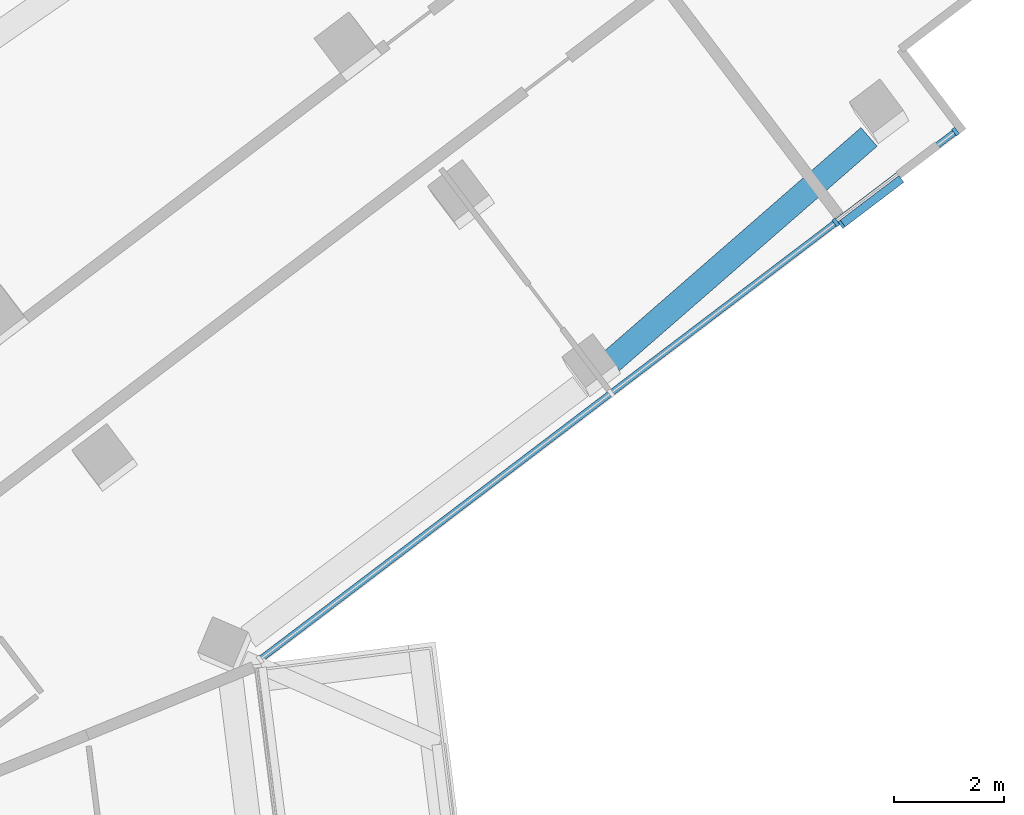
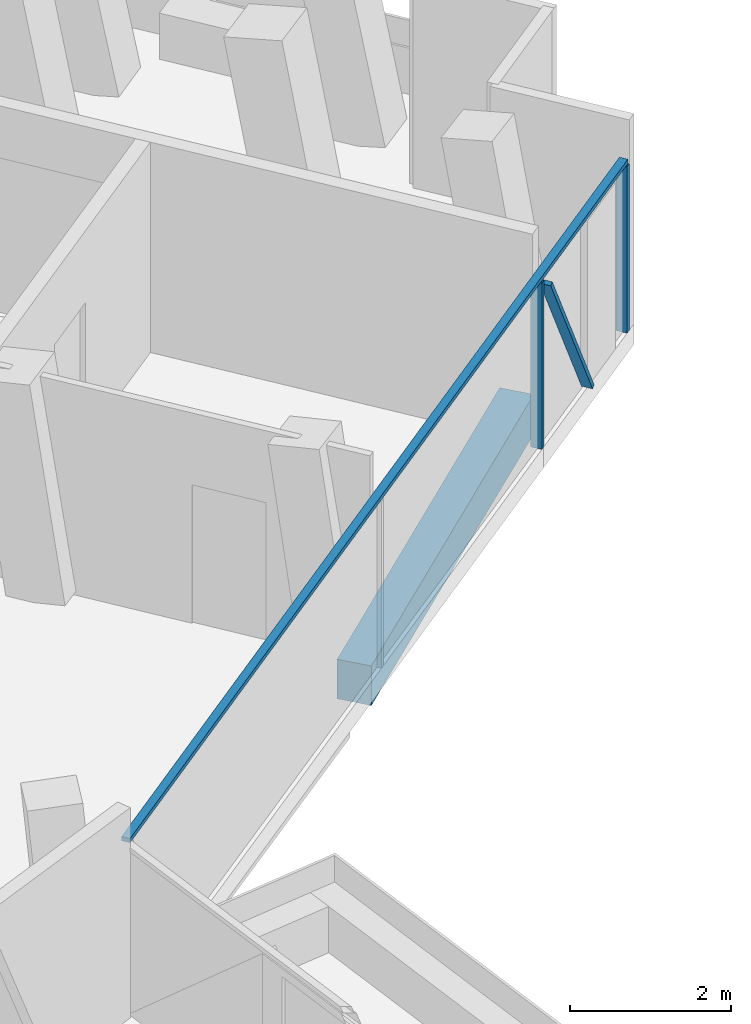
# One storey, part 9 of 26: 4 members, 1 beam, 1 element without a shape of its own.
"""IFC4 building model written with IfcOpenShell, lengths in metres."""

from ifc_helpers import new_model, si_unit, direction, frame, origin, origin_2d, place, context, subcontext, project, spatial, rectangle, extrude, material, layer, layer_set, material_profile, profile_set, type_object, element, aggregate, save


model = new_model("IFC4")

# Units and contexts
model_context = context("Model", 3, precision=1e-05, world=origin(), true_north=direction((0.0, 1.0)))
body_context = subcontext(model_context, "Body", "Model", "MODEL_VIEW")
ifc_project = project(units=[si_unit("LENGTHUNIT", "METRE"), si_unit("AREAUNIT", "SQUARE_METRE"), si_unit("VOLUMEUNIT", "CUBIC_METRE"), si_unit("PLANEANGLEUNIT", "RADIAN"), si_unit("MASSUNIT", "GRAM", prefix="KILO")], contexts=[model_context])

# Site, building, storey
site_placement = place(None, origin())
site = spatial("IfcSite", under=ifc_project, at=site_placement, CompositionType="ELEMENT")
building_placement = place(site_placement, origin())
building = spatial("IfcBuilding", under=site, at=building_placement, Name="Verdalira Terraces Hotel", CompositionType="ELEMENT")
storey_placement = place(building_placement, frame((0.0, 0.0, 306.5)))
storey = spatial("IfcBuildingStorey", under=building, at=storey_placement, Name="L76", CompositionType="ELEMENT", Elevation=306.5)

# Curtain wall, members
ifc_material_1 = material(Name="Clear glass", Category="glass")
ifc_layer = layer(ifc_material_1, 0.14990234375)
ifc_layer_set = layer_set([ifc_layer], Name="CW2 curtain wall")
curtain_wall_type = type_object("IfcCurtainWallType", Name="CW2 curtain wall", PredefinedType="NOTDEFINED", material=ifc_layer_set)
curtain_wall_placement = place(storey_placement, origin())
curtain_wall = element("IfcCurtainWall", 1, at=curtain_wall_placement, inside=storey, type_object=curtain_wall_type, Name="CW2 curtain wall L76 edge 28", PredefinedType="NOTDEFINED")
ifc_material_2 = material(Name="Terracotta frame", Category="masonry")
ifc_material_profile_1 = material_profile(ifc_material_2, rectangle(XDim=0.070068, YDim=0.149902, at=origin_2d()), Name="MU 70x150")
ifc_profile_set_1 = profile_set([ifc_material_profile_1], Name="Terracotta frame")
member_type_1 = type_object("IfcMemberType", Name="CW2 mullion 70x150", PredefinedType="MULLION", material=ifc_profile_set_1)
member_1_placement = place(storey_placement, frame((33.719238, 17.528076, 0.0), z_axis=(0.0, 0.0, 1.0), x_axis=(0.796529918, 0.604599115, 0.0)))
member_1 = element("IfcMember", 2, at=member_1_placement, type_object=member_type_1, Name="CW2 mullion", PredefinedType="MULLION", context=body_context, shape_type="SweptSolid", body=[
    extrude(rectangle(XDim=0.070068, YDim=0.149902, at=origin_2d()), origin(), (0.0, 0.0, 1.0), 2.524902),
])
member_2_placement = place(storey_placement, frame((35.897705, 19.181641, 0.0), z_axis=(0.0, 0.0, 1.0), x_axis=(0.796529918, 0.604599115, 0.0)))
member_2 = element("IfcMember", 3, at=member_2_placement, type_object=member_type_1, Name="CW2 mullion", PredefinedType="MULLION", context=body_context, shape_type="SweptSolid", body=[
    extrude(rectangle(XDim=0.070068, YDim=0.149902, at=origin_2d()), origin(), (0.0, 0.0, 1.0), 2.524902),
])
ifc_material_3 = material(Name="Terracotta frame", Category="masonry")
ifc_material_profile_2 = material_profile(ifc_material_3, rectangle(XDim=0.11499, YDim=0.064941, at=origin_2d()), Name="TR 65x115")
ifc_profile_set_2 = profile_set([ifc_material_profile_2], Name="Terracotta frame")
member_type_2 = type_object("IfcMemberType", Name="CW2 transom 65x115", PredefinedType="USERDEFINED", material=ifc_profile_set_2)
member_3_placement = place(storey_placement, frame((23.207031, 9.548828, 2.557617), z_axis=(0.796524449, 0.604606321, 0.0), x_axis=(-0.604606321, 0.796524449, 0.0)))
member_3 = element("IfcMember", 4, at=member_3_placement, type_object=member_type_2, Name="CW2 transom", ObjectType="TRANSOM", PredefinedType="USERDEFINED", context=body_context, shape_type="SweptSolid", body=[
    extrude(rectangle(XDim=0.11499, YDim=0.064941, at=origin_2d()), origin(), (0.0, 0.0, 1.0), 15.967529),
])
ifc_material_4 = material(Name="Terracotta frame", Category="masonry")
ifc_material_profile_3 = material_profile(ifc_material_4, rectangle(XDim=0.149902, YDim=0.060059, at=origin_2d()), Name="GB 60x150")
ifc_profile_set_3 = profile_set([ifc_material_profile_3], Name="Terracotta frame")
member_type_3 = type_object("IfcMemberType", Name="Diagonal glazing bar 60x150", PredefinedType="USERDEFINED", material=ifc_profile_set_3)
member_4_placement = place(storey_placement, frame((33.82373, 17.493164, 2.47583), z_axis=(0.38520181, 0.292379975, -0.875290532), x_axis=(-0.604593719, 0.796534014, 0.0)))
member_4 = element("IfcMember", 5, at=member_4_placement, type_object=member_type_3, Name="Diagonal glazing bar", ObjectType="GLAZING BAR", PredefinedType="USERDEFINED", context=body_context, shape_type="SweptSolid", body=[
    extrude(rectangle(XDim=0.149902, YDim=0.060059, at=origin_2d()), origin(), (0.0, 0.0, 1.0), 2.772217),
])
aggregate(curtain_wall, [member_1, member_2, member_3, member_4])

# Beam
ifc_material_5 = material(Name="Concrete C40", Category="concrete")
ifc_material_profile_4 = material_profile(ifc_material_5, rectangle(XDim=0.449951, YDim=0.600098, at=origin_2d()), Name="RC 450X600")
ifc_profile_set_4 = profile_set([ifc_material_profile_4], Name="Concrete C40")
beam_type = type_object("IfcBeamType", Name="Spandrel beam RC 450X600 C40", PredefinedType="SPANDREL", material=ifc_profile_set_4)
beam_placement = place(storey_placement, frame((29.631348, 14.998047, -0.610107), z_axis=(0.754040229, 0.656828237, 0.0), x_axis=(-0.656828237, 0.754040229, 0.0)))
element("IfcBeam", 6, at=beam_placement, inside=storey, type_object=beam_type, Name="Spandrel beam B20", PredefinedType="SPANDREL", context=body_context, shape_type="SweptSolid", body=[
    extrude(rectangle(XDim=0.449951, YDim=0.600098, at=origin_2d()), origin(), (0.0, 0.0, 1.0), 6.223389),
])

save(model, "model.ifc")
